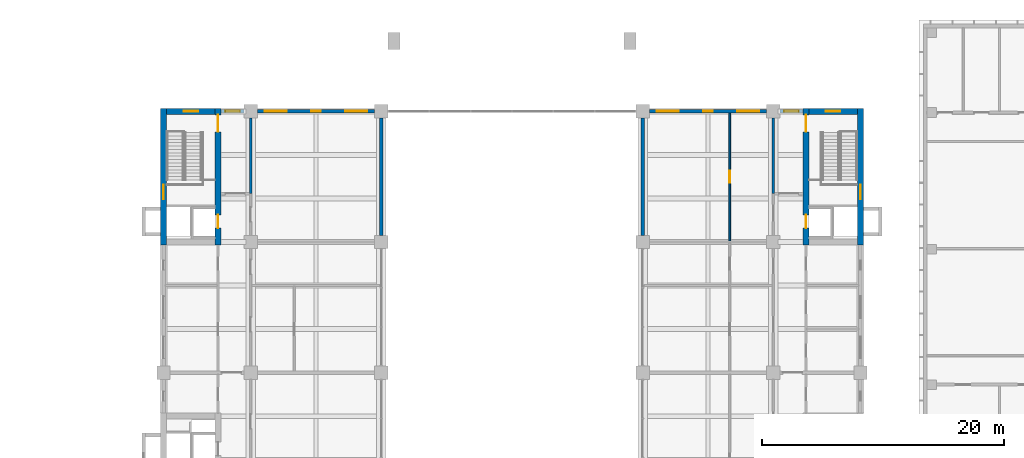
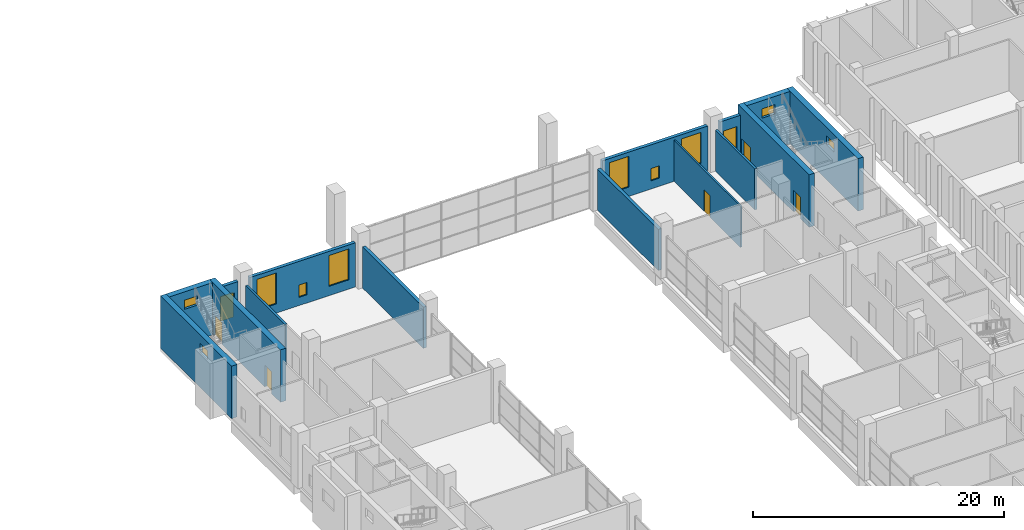
# One storey, part 25 of 32: 15 walls, 12 windows, 5 doors, 17 openings.
"""IFC4 building model written with IfcOpenShell, lengths in metres."""

from ifc_helpers import new_model, si_unit, direction, frame, frame_2d, origin, place, context, subcontext, project, spatial, rectangle, extrude, material, layer, layer_set, type_object, element, fill, save


model = new_model("IFC4")

# Units and contexts
model_context = context("Model", 3, precision=1e-05, world=origin(), true_north=direction((0.0, 1.0)))
body_context = subcontext(model_context, "Body", "Model", "MODEL_VIEW")
ifc_project = project(units=[si_unit("LENGTHUNIT", "METRE"), si_unit("AREAUNIT", "SQUARE_METRE"), si_unit("VOLUMEUNIT", "CUBIC_METRE"), si_unit("PLANEANGLEUNIT", "RADIAN"), si_unit("MASSUNIT", "GRAM", prefix="KILO")], contexts=[model_context])

# Site, building, storey
site_placement = place(None, origin())
site = spatial("IfcSite", under=ifc_project, at=site_placement, CompositionType="ELEMENT")
building_placement = place(site_placement, origin())
building = spatial("IfcBuilding", under=site, at=building_placement, Name="Basin Gate Institute", CompositionType="ELEMENT")
storey_placement = place(building_placement, frame((0.0, 0.0, 11.39990234375)))
storey = spatial("IfcBuildingStorey", under=building, at=storey_placement, Name="L02", CompositionType="ELEMENT", Elevation=11.39990234375)

# Walls
ifc_material_1 = material(Name="Fire-resisting board wall assembly")
ifc_layer_1 = layer(ifc_material_1, 0.300048828125)
ifc_layer_set_1 = layer_set([ifc_layer_1], Name="Atrium enclosure wall EW4")
wall_type_1 = type_object("IfcWallType", Name="Atrium enclosure wall EW4", PredefinedType="STANDARD", material=ifc_layer_set_1)
for number, where, z_axis, x_axis, name in (
    (1, (79.199951171875, 89.64990234375, 0.0), (0.0, 0.0, 1.0), (0.0, 1.0, 0.0), "Atrium enclosure wall W wing bay 6 L02"),
    (2, (100.800048828125, 89.64990234375, 0.0), (0.0, 0.0, 1.0), (0.0, 1.0, 0.0), "Atrium enclosure wall E wing bay 6 L02"),
):
    element("IfcWall", number, at=place(storey_placement, frame(where, z_axis=z_axis, x_axis=x_axis)), inside=storey, type_object=wall_type_1, material=ifc_layer_set_1, Name=name, PredefinedType="STANDARD", context=body_context, shape_type="SweptSolid", body=[
        extrude(rectangle(XDim=9.7001953125, YDim=0.300048828125, at=frame_2d((4.85009765625, 0.0))), origin(), (0.0, 0.0, 1.0), 4.0),
    ])
ifc_material_2 = material(Name="Fire-rated masonry", Category="masonry")
ifc_layer_2 = layer(ifc_material_2, 0.199951171875)
ifc_layer_set_2 = layer_set([ifc_layer_2], Name="Enclosure wall PW2 200 EI 60")
wall_type_2 = type_object("IfcWallType", Name="Enclosure wall PW2 200 EI 60", PredefinedType="PARTITIONING", material=ifc_layer_set_2)
for number, where, z_axis, x_axis, name in (
    (3, (68.39990234375, 93.10009765625, 0.0), (0.0, 0.0, 1.0), (0.0, 1.0, 0.0), "Smoke lobby enclosure wall PW2 L02"),
    (4, (111.60009765625, 93.10009765625, 0.0), (0.0, 0.0, 1.0), (0.0, 1.0, 0.0), "Smoke lobby enclosure wall PW2 L02"),
):
    element("IfcWall", number, at=place(storey_placement, frame(where, z_axis=z_axis, x_axis=x_axis)), inside=storey, type_object=wall_type_2, material=ifc_layer_set_2, Name=name, PredefinedType="PARTITIONING", context=body_context, shape_type="SweptSolid", body=[
        extrude(rectangle(XDim=6.25, YDim=0.199951171875, at=frame_2d((3.125, 0.0))), origin(), (0.0, 0.0, 1.0), 4.0),
    ])

# Wall, opening, window
ifc_material_3 = material(Name="Aluminium-faced insulated panel wall", Category="aluminium")
ifc_layer_3 = layer(ifc_material_3, 0.300048828125)
ifc_layer_set_3 = layer_set([ifc_layer_3], Name="External wall EW1 EI 120")
wall_type_3 = type_object("IfcWallType", Name="External wall EW1 EI 120", PredefinedType="STANDARD", material=ifc_layer_set_3)
wall_1_placement = place(storey_placement, frame((65.949951171875, 99.89990234375, 0.0), z_axis=(0.0, 0.0, 1.0), x_axis=(1.0, 0.0, 0.0)))
wall_1 = element("IfcWall", 5, at=wall_1_placement, inside=storey, type_object=wall_type_3, material=ifc_layer_set_3, Name="External end wall W wing north L02 1", PredefinedType="STANDARD", context=body_context, shape_type="SweptSolid", body=[
    extrude(rectangle(XDim=1.900146484375, YDim=0.300048828125, at=frame_2d((0.9501953125, 0.0))), origin(), (0.0, 0.0, 1.0), 4.300048828125),
])
opening_1_placement = place(wall_1_placement, frame((0.35009765625, 0.0, 0.89990234375)))
opening_1 = element("IfcOpeningElement", 6, at=opening_1_placement, cuts=wall_1, Name="Opening WN4", PredefinedType="OPENING", context=body_context, shape_type="SweptSolid", body=[
    extrude(rectangle(XDim=1.199951171875, YDim=2.39990234375, at=frame_2d((0.60009765625, 1.199951171875))), frame((0.0, 0.16015625, 0.0), z_axis=(0.0, -1.0, 0.0), x_axis=(1.0, 0.0, 0.0)), (0.0, 0.0, 1.0), 0.320068359375),
])
ifc_material_4 = material(Name="Aluminium-framed double glazing", Category="aluminium")
window_type_1 = type_object("IfcWindowType", Name="Corridor end window WN4", PartitioningType="SINGLE_PANEL", PredefinedType="WINDOW", material=ifc_material_4)
window_1_placement = place(opening_1_placement, origin())
window_1 = element("IfcWindow", 7, at=window_1_placement, inside=storey, type_object=window_type_1, material=ifc_material_4, Name="Corridor end window W wing N L02", OverallHeight=2.39990234375, OverallWidth=1.199951171875, PartitioningType="SINGLE_PANEL", PredefinedType="WINDOW", context=body_context, shape_type="SweptSolid", body=[
    extrude(rectangle(XDim=1.199951171875, YDim=2.39990234375, at=frame_2d((0.60009765625, 1.199951171875))), frame((0.0, 0.030029296875, 0.0), z_axis=(0.0, -1.0, 0.0), x_axis=(1.0, 0.0, 0.0)), (0.0, 0.0, 1.0), 0.06005859375),
])
fill(opening_1, window_1)

# Wall, openings, windows
wall_2_placement = place(storey_placement, frame((68.949951171875, 99.89990234375, 0.0), z_axis=(0.0, 0.0, 1.0), x_axis=(1.0, 0.0, 0.0)))
wall_2 = element("IfcWall", 8, at=wall_2_placement, inside=storey, type_object=wall_type_3, material=ifc_layer_set_3, Name="External end wall W wing north L02 2", PredefinedType="STANDARD", context=body_context, shape_type="SweptSolid", body=[
    extrude(rectangle(XDim=9.699951171875, YDim=0.300048828125, at=frame_2d((4.85009765625, 0.0))), origin(), (0.0, 0.0, 1.0), 4.300048828125),
])
opening_2_placement = place(wall_2_placement, frame((0.625, 0.0, 0.89990234375)))
opening_2 = element("IfcOpeningElement", 9, at=opening_2_placement, cuts=wall_2, Name="Opening WN2", PredefinedType="OPENING", context=body_context, shape_type="SweptSolid", body=[
    extrude(rectangle(XDim=1.800048828125, YDim=3.0, at=frame_2d((0.89990234375, 1.5))), frame((0.0, 0.16015625, 0.0), z_axis=(0.0, -1.0, 0.0), x_axis=(1.0, 0.0, 0.0)), (0.0, 0.0, 1.0), 0.320068359375),
])
opening_3_placement = place(wall_2_placement, frame((4.47509765625, 0.0, 0.800048828125)))
opening_3 = element("IfcOpeningElement", 10, at=opening_3_placement, cuts=wall_2, Name="Opening WN3", PredefinedType="OPENING", context=body_context, shape_type="SweptSolid", body=[
    extrude(rectangle(XDim=0.75, YDim=1.199951171875, at=frame_2d((0.375, 0.60009765625))), frame((0.0, 0.16015625, 0.0), z_axis=(0.0, -1.0, 0.0), x_axis=(1.0, 0.0, 0.0)), (0.0, 0.0, 1.0), 0.320068359375),
])
opening_4_placement = place(wall_2_placement, frame((7.27490234375, 0.0, 0.89990234375)))
opening_4 = element("IfcOpeningElement", 11, at=opening_4_placement, cuts=wall_2, Name="Opening WN2", PredefinedType="OPENING", context=body_context, shape_type="SweptSolid", body=[
    extrude(rectangle(XDim=1.800048828125, YDim=3.0, at=frame_2d((0.89990234375, 1.5))), frame((0.0, 0.16015625, 0.0), z_axis=(0.0, -1.0, 0.0), x_axis=(1.0, 0.0, 0.0)), (0.0, 0.0, 1.0), 0.320068359375),
])
ifc_material_5 = material(Name="Aluminium-framed double glazing", Category="aluminium")
window_type_2 = type_object("IfcWindowType", Name="Emergency entry panel WN3", PartitioningType="SINGLE_PANEL", PredefinedType="WINDOW", material=ifc_material_5)
window_2_placement = place(opening_3_placement, origin())
window_2 = element("IfcWindow", 12, at=window_2_placement, inside=storey, type_object=window_type_2, material=ifc_material_5, Name="Emergency entry panel W wing end N L02 bay 2", OverallHeight=1.199951171875, OverallWidth=0.75, PartitioningType="SINGLE_PANEL", PredefinedType="WINDOW", context=body_context, shape_type="SweptSolid", body=[
    extrude(rectangle(XDim=0.75, YDim=1.199951171875, at=frame_2d((0.375, 0.60009765625))), frame((0.0, 0.030029296875, 0.0), z_axis=(0.0, -1.0, 0.0), x_axis=(1.0, 0.0, 0.0)), (0.0, 0.0, 1.0), 0.06005859375),
])
fill(opening_3, window_2)
ifc_material_6 = material(Name="Aluminium-framed double glazing", Category="aluminium")
window_type_3 = type_object("IfcWindowType", Name="Podium window WN2", PartitioningType="SINGLE_PANEL", PredefinedType="WINDOW", material=ifc_material_6)
window_3_placement = place(opening_2_placement, origin())
window_3 = element("IfcWindow", 13, at=window_3_placement, inside=storey, type_object=window_type_3, material=ifc_material_6, Name="Podium window W wing end N L02 bay 1", OverallHeight=3.0, OverallWidth=1.800048828125, PartitioningType="SINGLE_PANEL", PredefinedType="WINDOW", context=body_context, shape_type="SweptSolid", body=[
    extrude(rectangle(XDim=1.800048828125, YDim=3.0, at=frame_2d((0.89990234375, 1.5))), frame((0.0, 0.030029296875, 0.0), z_axis=(0.0, -1.0, 0.0), x_axis=(1.0, 0.0, 0.0)), (0.0, 0.0, 1.0), 0.06005859375),
])
fill(opening_2, window_3)
window_4_placement = place(opening_4_placement, origin())
window_4 = element("IfcWindow", 14, at=window_4_placement, inside=storey, type_object=window_type_3, material=ifc_material_6, Name="Podium window W wing end N L02 bay 3", OverallHeight=3.0, OverallWidth=1.800048828125, PartitioningType="SINGLE_PANEL", PredefinedType="WINDOW", context=body_context, shape_type="SweptSolid", body=[
    extrude(rectangle(XDim=1.800048828125, YDim=3.0, at=frame_2d((0.89990234375, 1.5))), frame((0.0, 0.030029296875, 0.0), z_axis=(0.0, -1.0, 0.0), x_axis=(1.0, 0.0, 0.0)), (0.0, 0.0, 1.0), 0.06005859375),
])
fill(opening_4, window_4)

# Wall, opening, window
wall_3_placement = place(storey_placement, frame((114.050048828125, 99.89990234375, 0.0), z_axis=(0.0, 0.0, 1.0), x_axis=(-1.0, 0.0, 0.0)))
wall_3 = element("IfcWall", 15, at=wall_3_placement, inside=storey, type_object=wall_type_3, material=ifc_layer_set_3, Name="External end wall E wing north L02 1", PredefinedType="STANDARD", context=body_context, shape_type="SweptSolid", body=[
    extrude(rectangle(XDim=1.900146484375, YDim=0.300048828125, at=frame_2d((0.9501953125, 0.0))), origin(), (0.0, 0.0, 1.0), 4.300048828125),
])
opening_5_placement = place(wall_3_placement, frame((0.35009765625, 0.0, 0.89990234375)))
opening_5 = element("IfcOpeningElement", 16, at=opening_5_placement, cuts=wall_3, Name="Opening WN4", PredefinedType="OPENING", context=body_context, shape_type="SweptSolid", body=[
    extrude(rectangle(XDim=1.199951171875, YDim=2.39990234375, at=frame_2d((0.60009765625, 1.199951171875))), frame((0.0, 0.16015625, 0.0), z_axis=(0.0, -1.0, 0.0), x_axis=(1.0, 0.0, 0.0)), (0.0, 0.0, 1.0), 0.320068359375),
])
window_5_placement = place(opening_5_placement, origin())
window_5 = element("IfcWindow", 17, at=window_5_placement, inside=storey, type_object=window_type_1, material=ifc_material_4, Name="Corridor end window E wing N L02", OverallHeight=2.39990234375, OverallWidth=1.199951171875, PartitioningType="SINGLE_PANEL", PredefinedType="WINDOW", context=body_context, shape_type="SweptSolid", body=[
    extrude(rectangle(XDim=1.199951171875, YDim=2.39990234375, at=frame_2d((0.60009765625, 1.199951171875))), frame((0.0, 0.030029296875, 0.0), z_axis=(0.0, -1.0, 0.0), x_axis=(1.0, 0.0, 0.0)), (0.0, 0.0, 1.0), 0.06005859375),
])
fill(opening_5, window_5)

# Wall, openings, windows
wall_4_placement = place(storey_placement, frame((111.050048828125, 99.89990234375, 0.0), z_axis=(0.0, 0.0, 1.0), x_axis=(-1.0, 0.0, 0.0)))
wall_4 = element("IfcWall", 18, at=wall_4_placement, inside=storey, type_object=wall_type_3, material=ifc_layer_set_3, Name="External end wall E wing north L02 2", PredefinedType="STANDARD", context=body_context, shape_type="SweptSolid", body=[
    extrude(rectangle(XDim=9.699951171875, YDim=0.300048828125, at=frame_2d((4.85009765625, 0.0))), origin(), (0.0, 0.0, 1.0), 4.300048828125),
])
opening_6_placement = place(wall_4_placement, frame((0.625, 0.0, 0.89990234375)))
opening_6 = element("IfcOpeningElement", 19, at=opening_6_placement, cuts=wall_4, Name="Opening WN2", PredefinedType="OPENING", context=body_context, shape_type="SweptSolid", body=[
    extrude(rectangle(XDim=1.800048828125, YDim=3.0, at=frame_2d((0.89990234375, 1.5))), frame((0.0, 0.16015625, 0.0), z_axis=(0.0, -1.0, 0.0), x_axis=(1.0, 0.0, 0.0)), (0.0, 0.0, 1.0), 0.320068359375),
])
opening_7_placement = place(wall_4_placement, frame((4.47509765625, 0.0, 0.800048828125)))
opening_7 = element("IfcOpeningElement", 20, at=opening_7_placement, cuts=wall_4, Name="Opening WN3", PredefinedType="OPENING", context=body_context, shape_type="SweptSolid", body=[
    extrude(rectangle(XDim=0.75, YDim=1.199951171875, at=frame_2d((0.375, 0.60009765625))), frame((0.0, 0.16015625, 0.0), z_axis=(0.0, -1.0, 0.0), x_axis=(1.0, 0.0, 0.0)), (0.0, 0.0, 1.0), 0.320068359375),
])
opening_8_placement = place(wall_4_placement, frame((7.27490234375, 0.0, 0.89990234375)))
opening_8 = element("IfcOpeningElement", 21, at=opening_8_placement, cuts=wall_4, Name="Opening WN2", PredefinedType="OPENING", context=body_context, shape_type="SweptSolid", body=[
    extrude(rectangle(XDim=1.800048828125, YDim=3.0, at=frame_2d((0.89990234375, 1.5))), frame((0.0, 0.16015625, 0.0), z_axis=(0.0, -1.0, 0.0), x_axis=(1.0, 0.0, 0.0)), (0.0, 0.0, 1.0), 0.320068359375),
])
window_6_placement = place(opening_7_placement, origin())
window_6 = element("IfcWindow", 22, at=window_6_placement, inside=storey, type_object=window_type_2, material=ifc_material_5, Name="Emergency entry panel E wing end N L02 bay 2", OverallHeight=1.199951171875, OverallWidth=0.75, PartitioningType="SINGLE_PANEL", PredefinedType="WINDOW", context=body_context, shape_type="SweptSolid", body=[
    extrude(rectangle(XDim=0.75, YDim=1.199951171875, at=frame_2d((0.375, 0.60009765625))), frame((0.0, 0.030029296875, 0.0), z_axis=(0.0, -1.0, 0.0), x_axis=(1.0, 0.0, 0.0)), (0.0, 0.0, 1.0), 0.06005859375),
])
fill(opening_7, window_6)
window_7_placement = place(opening_6_placement, origin())
window_7 = element("IfcWindow", 23, at=window_7_placement, inside=storey, type_object=window_type_3, material=ifc_material_6, Name="Podium window E wing end N L02 bay 1", OverallHeight=3.0, OverallWidth=1.800048828125, PartitioningType="SINGLE_PANEL", PredefinedType="WINDOW", context=body_context, shape_type="SweptSolid", body=[
    extrude(rectangle(XDim=1.800048828125, YDim=3.0, at=frame_2d((0.89990234375, 1.5))), frame((0.0, 0.030029296875, 0.0), z_axis=(0.0, -1.0, 0.0), x_axis=(1.0, 0.0, 0.0)), (0.0, 0.0, 1.0), 0.06005859375),
])
fill(opening_6, window_7)
window_8_placement = place(opening_8_placement, origin())
window_8 = element("IfcWindow", 24, at=window_8_placement, inside=storey, type_object=window_type_3, material=ifc_material_6, Name="Podium window E wing end N L02 bay 3", OverallHeight=3.0, OverallWidth=1.800048828125, PartitioningType="SINGLE_PANEL", PredefinedType="WINDOW", context=body_context, shape_type="SweptSolid", body=[
    extrude(rectangle(XDim=1.800048828125, YDim=3.0, at=frame_2d((0.89990234375, 1.5))), frame((0.0, 0.030029296875, 0.0), z_axis=(0.0, -1.0, 0.0), x_axis=(1.0, 0.0, 0.0)), (0.0, 0.0, 1.0), 0.06005859375),
])
fill(opening_8, window_8)

# Wall, opening, door
ifc_material_7 = material(Name="Gypsum board on steel stud", Category="steel")
ifc_layer_4 = layer(ifc_material_7, 0.14990234375)
ifc_layer_set_4 = layer_set([ifc_layer_4], Name="Gypsum board on steel stud")
wall_type_4 = type_object("IfcWallType", Name="Partition PW1 150 EI 60", PredefinedType="PARTITIONING", material=ifc_layer_set_4)
wall_5_placement = place(storey_placement, frame((108.0, 89.175048828125, 0.0), z_axis=(0.0, 0.0, 1.0), x_axis=(0.0, 1.0, 0.0)))
wall_5 = element("IfcWall", 25, at=wall_5_placement, inside=storey, type_object=wall_type_4, material=ifc_layer_set_4, Name="Clean room wall PW1 L02", PredefinedType="PARTITIONING", context=body_context, shape_type="SweptSolid", body=[
    extrude(rectangle(XDim=10.574951171875, YDim=0.14990234375, at=frame_2d((5.28759765625, 0.0))), origin(), (0.0, 0.0, 1.0), 4.0),
])
opening_9_placement = place(wall_5_placement, frame((4.824951171875, 0.0, 0.0)))
opening_9 = element("IfcOpeningElement", 26, at=opening_9_placement, cuts=wall_5, Name="Opening DR099", PredefinedType="OPENING", context=body_context, shape_type="SweptSolid", body=[
    extrude(rectangle(XDim=1.0, YDim=2.10009765625, at=frame_2d((0.5, 1.050048828125))), frame((0.0, 0.0849609375, 0.0), z_axis=(0.0, -1.0, 0.0), x_axis=(1.0, 0.0, 0.0)), (0.0, 0.0, 1.0), 0.169921875),
])
ifc_material_8 = material(Name="Steel fire door", Category="steel")
door_type_1 = type_object("IfcDoorType", Name="FD30 Airlock door D5", OperationType="NOTDEFINED", PredefinedType="DOOR", material=ifc_material_8)
door_1_placement = place(opening_9_placement, origin())
door_1 = element("IfcDoor", 27, at=door_1_placement, inside=storey, type_object=door_type_1, material=ifc_material_8, Name="Clean room entry door Clean Room ISO 7 0282 L02", OperationType="SINGLE_SWING_LEFT", OverallHeight=2.10009765625, OverallWidth=1.0, PredefinedType="DOOR", context=body_context, shape_type="SweptSolid", body=[
    extrude(rectangle(XDim=1.0, YDim=2.10009765625, at=frame_2d((0.5, 1.050048828125))), frame((0.0, 0.02490234375, 0.0), z_axis=(0.0, -1.0, 0.0), x_axis=(1.0, 0.0, 0.0)), (0.0, 0.0, 1.0), 0.050048828125),
])
fill(opening_9, door_1)

# Wall, opening, window
ifc_material_9 = material(Name="Concrete 60 MPa", Category="concrete")
ifc_layer_5 = layer(ifc_material_9, 0.5)
ifc_layer_set_5 = layer_set([ifc_layer_5], Name="Concrete 60 MPa")
wall_type_5 = type_object("IfcWallType", Name="Wall SW1 R180", PredefinedType="SHEAR", material=ifc_layer_set_5)
wall_6_placement = place(storey_placement, frame((61.199951171875, 88.85009765625, 0.0), z_axis=(0.0, 0.0, 1.0), x_axis=(0.0, 1.0, 0.0)))
wall_6 = element("IfcWall", 28, at=wall_6_placement, inside=storey, type_object=wall_type_5, material=ifc_layer_set_5, Name="WALL/L02/WN/L", PredefinedType="SHEAR", context=body_context, shape_type="SweptSolid", body=[
    extrude(rectangle(XDim=11.2998046875, YDim=0.5, at=frame_2d((5.64990234375, 0.0))), origin(), (0.0, 0.0, 1.0), 5.10009765625),
])
opening_10_placement = place(wall_6_placement, frame((3.800048828125, 0.0, 3.39990234375)))
opening_10 = element("IfcOpeningElement", 29, at=opening_10_placement, cuts=wall_6, Name="Opening WT1", PredefinedType="OPENING", context=body_context, shape_type="SweptSolid", body=[
    extrude(rectangle(XDim=1.199951171875, YDim=0.89990234375, at=frame_2d((0.60009765625, 0.449951171875))), frame((0.0, 0.260009765625, 0.0), z_axis=(0.0, -1.0, 0.0), x_axis=(1.0, 0.0, 0.0)), (0.0, 0.0, 1.0), 0.52001953125),
])
ifc_material_10 = material(Name="Fire-resistant glazing in steel-free frame", Category="steel")
window_type_4 = type_object("IfcWindowType", Name="Rated stair window EI 180 WT1", PartitioningType="SINGLE_PANEL", PredefinedType="WINDOW", material=ifc_material_10)
window_9_placement = place(opening_10_placement, origin())
window_9 = element("IfcWindow", 30, at=window_9_placement, inside=storey, type_object=window_type_4, material=ifc_material_10, Name="Rated stair window EI 180 WN landing L02", OverallHeight=0.89990234375, OverallWidth=1.199951171875, PartitioningType="SINGLE_PANEL", PredefinedType="WINDOW", context=body_context, shape_type="SweptSolid", body=[
    extrude(rectangle(XDim=1.199951171875, YDim=0.89990234375, at=frame_2d((0.60009765625, 0.449951171875))), frame((0.0, 0.030029296875, 0.0), z_axis=(0.0, -1.0, 0.0), x_axis=(1.0, 0.0, 0.0)), (0.0, 0.0, 1.0), 0.06005859375),
])
fill(opening_10, window_9)

# Wall, openings, doors
wall_7_placement = place(storey_placement, frame((65.699951171875, 88.85009765625, 0.0), z_axis=(0.0, 0.0, 1.0), x_axis=(0.0, 1.0, 0.0)))
wall_7 = element("IfcWall", 31, at=wall_7_placement, inside=storey, type_object=wall_type_5, material=ifc_layer_set_5, Name="WALL/L02/WN/C", PredefinedType="SHEAR", context=body_context, shape_type="SweptSolid", body=[
    extrude(rectangle(XDim=11.2998046875, YDim=0.5, at=frame_2d((5.64990234375, 0.0))), origin(), (0.0, 0.0, 1.0), 5.10009765625),
])
opening_11_placement = place(wall_7_placement, frame((9.35009765625, 0.0, 0.0)))
opening_11 = element("IfcOpeningElement", 32, at=opening_11_placement, cuts=wall_7, Name="Opening DS015", PredefinedType="OPENING", context=body_context, shape_type="SweptSolid", body=[
    extrude(rectangle(XDim=1.39990234375, YDim=2.10009765625, at=frame_2d((0.699951171875, 1.050048828125))), frame((0.0, 0.260009765625, 0.0), z_axis=(0.0, -1.0, 0.0), x_axis=(1.0, 0.0, 0.0)), (0.0, 0.0, 1.0), 0.52001953125),
])
opening_12_placement = place(wall_7_placement, frame((1.39990234375, 0.0, 0.0)))
opening_12 = element("IfcOpeningElement", 33, at=opening_12_placement, cuts=wall_7, Name="Opening LD057", PredefinedType="OPENING", context=body_context, shape_type="SweptSolid", body=[
    extrude(rectangle(XDim=1.10009765625, YDim=2.10009765625, at=frame_2d((0.550048828125, 1.050048828125))), frame((0.0, 0.260009765625, 0.0), z_axis=(0.0, -1.0, 0.0), x_axis=(1.0, 0.0, 0.0)), (0.0, 0.0, 1.0), 0.52001953125),
])
ifc_material_11 = material(Name="Steel fire door", Category="steel")
door_type_2 = type_object("IfcDoorType", Name="FD30 Stair enclosure door DS", OperationType="DOUBLE_DOOR_SINGLE_SWING", PredefinedType="DOOR", material=ifc_material_11)
door_2_placement = place(opening_11_placement, origin())
door_2 = element("IfcDoor", 34, at=door_2_placement, inside=storey, type_object=door_type_2, material=ifc_material_11, Name="Stair enclosure door ST-WN L02", OperationType="DOUBLE_DOOR_SINGLE_SWING", OverallHeight=2.10009765625, OverallWidth=1.39990234375, PredefinedType="DOOR", context=body_context, shape_type="SweptSolid", body=[
    extrude(rectangle(XDim=1.39990234375, YDim=2.10009765625, at=frame_2d((0.699951171875, 1.050048828125))), frame((0.0, 0.02490234375, 0.0), z_axis=(0.0, -1.0, 0.0), x_axis=(1.0, 0.0, 0.0)), (0.0, 0.0, 1.0), 0.050048828125),
])
fill(opening_11, door_2)
ifc_material_12 = material(Name="Stainless steel", Category="steel")
door_type_3 = type_object("IfcDoorType", Name="FD60 Lift landing door LD", OperationType="SLIDING_TO_LEFT", PredefinedType="DOOR", material=ifc_material_12)
door_3_placement = place(opening_12_placement, origin())
door_3 = element("IfcDoor", 35, at=door_3_placement, inside=storey, type_object=door_type_3, material=ifc_material_12, Name="Lift landing door LP3 L02", OperationType="SLIDING_TO_LEFT", OverallHeight=2.10009765625, OverallWidth=1.10009765625, PredefinedType="DOOR", context=body_context, shape_type="SweptSolid", body=[
    extrude(rectangle(XDim=1.10009765625, YDim=2.10009765625, at=frame_2d((0.550048828125, 1.050048828125))), frame((0.0, 0.02490234375, 0.0), z_axis=(0.0, -1.0, 0.0), x_axis=(1.0, 0.0, 0.0)), (0.0, 0.0, 1.0), 0.050048828125),
])
fill(opening_12, door_3)

# Wall, opening, window
wall_8_placement = place(storey_placement, frame((61.449951171875, 99.89990234375, 0.0), z_axis=(0.0, 0.0, 1.0), x_axis=(1.0, 0.0, 0.0)))
wall_8 = element("IfcWall", 36, at=wall_8_placement, inside=storey, type_object=wall_type_5, material=ifc_layer_set_5, Name="WALL/L02/WN/N", PredefinedType="SHEAR", context=body_context, shape_type="SweptSolid", body=[
    extrude(rectangle(XDim=4.0, YDim=0.5, at=frame_2d((2.0, 0.0))), origin(), (0.0, 0.0, 1.0), 5.10009765625),
])
opening_13_placement = place(wall_8_placement, frame((1.39990234375, 0.0, 3.39990234375)))
opening_13 = element("IfcOpeningElement", 37, at=opening_13_placement, cuts=wall_8, Name="Opening WT1", PredefinedType="OPENING", context=body_context, shape_type="SweptSolid", body=[
    extrude(rectangle(XDim=1.199951171875, YDim=0.89990234375, at=frame_2d((0.60009765625, 0.449951171875))), frame((0.0, 0.260009765625, 0.0), z_axis=(0.0, -1.0, 0.0), x_axis=(1.0, 0.0, 0.0)), (0.0, 0.0, 1.0), 0.52001953125),
])
window_10_placement = place(opening_13_placement, origin())
window_10 = element("IfcWindow", 38, at=window_10_placement, inside=storey, type_object=window_type_4, material=ifc_material_10, Name="Rated stair window EI 180 WN end L02", OverallHeight=0.89990234375, OverallWidth=1.199951171875, PartitioningType="SINGLE_PANEL", PredefinedType="WINDOW", context=body_context, shape_type="SweptSolid", body=[
    extrude(rectangle(XDim=1.199951171875, YDim=0.89990234375, at=frame_2d((0.60009765625, 0.449951171875))), frame((0.0, 0.030029296875, 0.0), z_axis=(0.0, -1.0, 0.0), x_axis=(1.0, 0.0, 0.0)), (0.0, 0.0, 1.0), 0.06005859375),
])
fill(opening_13, window_10)

wall_9_placement = place(storey_placement, frame((118.800048828125, 88.85009765625, 0.0), z_axis=(0.0, 0.0, 1.0), x_axis=(0.0, 1.0, 0.0)))
wall_9 = element("IfcWall", 39, at=wall_9_placement, inside=storey, type_object=wall_type_5, material=ifc_layer_set_5, Name="WALL/L02/EN/L", PredefinedType="SHEAR", context=body_context, shape_type="SweptSolid", body=[
    extrude(rectangle(XDim=11.2998046875, YDim=0.5, at=frame_2d((5.64990234375, 0.0))), origin(), (0.0, 0.0, 1.0), 5.10009765625),
])
opening_14_placement = place(wall_9_placement, frame((3.800048828125, 0.0, 3.39990234375)))
opening_14 = element("IfcOpeningElement", 40, at=opening_14_placement, cuts=wall_9, Name="Opening WT1", PredefinedType="OPENING", context=body_context, shape_type="SweptSolid", body=[
    extrude(rectangle(XDim=1.199951171875, YDim=0.89990234375, at=frame_2d((0.60009765625, 0.449951171875))), frame((0.0, 0.260009765625, 0.0), z_axis=(0.0, -1.0, 0.0), x_axis=(1.0, 0.0, 0.0)), (0.0, 0.0, 1.0), 0.52001953125),
])
window_11_placement = place(opening_14_placement, origin())
window_11 = element("IfcWindow", 41, at=window_11_placement, inside=storey, type_object=window_type_4, material=ifc_material_10, Name="Rated stair window EI 180 EN landing L02", OverallHeight=0.89990234375, OverallWidth=1.199951171875, PartitioningType="SINGLE_PANEL", PredefinedType="WINDOW", context=body_context, shape_type="SweptSolid", body=[
    extrude(rectangle(XDim=1.199951171875, YDim=0.89990234375, at=frame_2d((0.60009765625, 0.449951171875))), frame((0.0, 0.030029296875, 0.0), z_axis=(0.0, -1.0, 0.0), x_axis=(1.0, 0.0, 0.0)), (0.0, 0.0, 1.0), 0.06005859375),
])
fill(opening_14, window_11)

# Wall, openings, doors
wall_10_placement = place(storey_placement, frame((114.300048828125, 88.85009765625, 0.0), z_axis=(0.0, 0.0, 1.0), x_axis=(0.0, 1.0, 0.0)))
wall_10 = element("IfcWall", 42, at=wall_10_placement, inside=storey, type_object=wall_type_5, material=ifc_layer_set_5, Name="WALL/L02/EN/C", PredefinedType="SHEAR", context=body_context, shape_type="SweptSolid", body=[
    extrude(rectangle(XDim=11.2998046875, YDim=0.5, at=frame_2d((5.64990234375, 0.0))), origin(), (0.0, 0.0, 1.0), 5.10009765625),
])
opening_15_placement = place(wall_10_placement, frame((9.35009765625, 0.0, 0.0)))
opening_15 = element("IfcOpeningElement", 43, at=opening_15_placement, cuts=wall_10, Name="Opening DS018", PredefinedType="OPENING", context=body_context, shape_type="SweptSolid", body=[
    extrude(rectangle(XDim=1.39990234375, YDim=2.10009765625, at=frame_2d((0.699951171875, 1.050048828125))), frame((0.0, 0.260009765625, 0.0), z_axis=(0.0, -1.0, 0.0), x_axis=(1.0, 0.0, 0.0)), (0.0, 0.0, 1.0), 0.52001953125),
])
opening_16_placement = place(wall_10_placement, frame((1.39990234375, 0.0, 0.0)))
opening_16 = element("IfcOpeningElement", 44, at=opening_16_placement, cuts=wall_10, Name="Opening LD108", PredefinedType="OPENING", context=body_context, shape_type="SweptSolid", body=[
    extrude(rectangle(XDim=1.10009765625, YDim=2.10009765625, at=frame_2d((0.550048828125, 1.050048828125))), frame((0.0, 0.260009765625, 0.0), z_axis=(0.0, -1.0, 0.0), x_axis=(1.0, 0.0, 0.0)), (0.0, 0.0, 1.0), 0.52001953125),
])
door_4_placement = place(opening_15_placement, frame((1.39990234375, 0.0, 0.0), z_axis=(0.0, 0.0, 1.0), x_axis=(-1.0, 0.0, 0.0)))
door_4 = element("IfcDoor", 45, at=door_4_placement, inside=storey, type_object=door_type_2, material=ifc_material_11, Name="Stair enclosure door ST-EN L02", OperationType="DOUBLE_DOOR_SINGLE_SWING", OverallHeight=2.10009765625, OverallWidth=1.39990234375, PredefinedType="DOOR", context=body_context, shape_type="SweptSolid", body=[
    extrude(rectangle(XDim=1.39990234375, YDim=2.10009765625, at=frame_2d((0.699951171875, 1.050048828125))), frame((0.0, 0.02490234375, 0.0), z_axis=(0.0, -1.0, 0.0), x_axis=(1.0, 0.0, 0.0)), (0.0, 0.0, 1.0), 0.050048828125),
])
fill(opening_15, door_4)
door_5_placement = place(opening_16_placement, origin())
door_5 = element("IfcDoor", 46, at=door_5_placement, inside=storey, type_object=door_type_3, material=ifc_material_12, Name="Lift landing door LP6 L02", OperationType="SLIDING_TO_LEFT", OverallHeight=2.10009765625, OverallWidth=1.10009765625, PredefinedType="DOOR", context=body_context, shape_type="SweptSolid", body=[
    extrude(rectangle(XDim=1.10009765625, YDim=2.10009765625, at=frame_2d((0.550048828125, 1.050048828125))), frame((0.0, 0.02490234375, 0.0), z_axis=(0.0, -1.0, 0.0), x_axis=(1.0, 0.0, 0.0)), (0.0, 0.0, 1.0), 0.050048828125),
])
fill(opening_16, door_5)

# Wall, opening, window
wall_11_placement = place(storey_placement, frame((118.550048828125, 99.89990234375, 0.0), z_axis=(0.0, 0.0, 1.0), x_axis=(-1.0, 0.0, 0.0)))
wall_11 = element("IfcWall", 47, at=wall_11_placement, inside=storey, type_object=wall_type_5, material=ifc_layer_set_5, Name="WALL/L02/EN/N", PredefinedType="SHEAR", context=body_context, shape_type="SweptSolid", body=[
    extrude(rectangle(XDim=4.0, YDim=0.5, at=frame_2d((2.0, 0.0))), origin(), (0.0, 0.0, 1.0), 5.10009765625),
])
opening_17_placement = place(wall_11_placement, frame((1.39990234375, 0.0, 3.39990234375)))
opening_17 = element("IfcOpeningElement", 48, at=opening_17_placement, cuts=wall_11, Name="Opening WT1", PredefinedType="OPENING", context=body_context, shape_type="SweptSolid", body=[
    extrude(rectangle(XDim=1.199951171875, YDim=0.89990234375, at=frame_2d((0.60009765625, 0.449951171875))), frame((0.0, 0.260009765625, 0.0), z_axis=(0.0, -1.0, 0.0), x_axis=(1.0, 0.0, 0.0)), (0.0, 0.0, 1.0), 0.52001953125),
])
window_12_placement = place(opening_17_placement, origin())
window_12 = element("IfcWindow", 49, at=window_12_placement, inside=storey, type_object=window_type_4, material=ifc_material_10, Name="Rated stair window EI 180 EN end L02", OverallHeight=0.89990234375, OverallWidth=1.199951171875, PartitioningType="SINGLE_PANEL", PredefinedType="WINDOW", context=body_context, shape_type="SweptSolid", body=[
    extrude(rectangle(XDim=1.199951171875, YDim=0.89990234375, at=frame_2d((0.60009765625, 0.449951171875))), frame((0.0, 0.030029296875, 0.0), z_axis=(0.0, -1.0, 0.0), x_axis=(1.0, 0.0, 0.0)), (0.0, 0.0, 1.0), 0.06005859375),
])
fill(opening_17, window_12)

save(model, "model.ifc")
